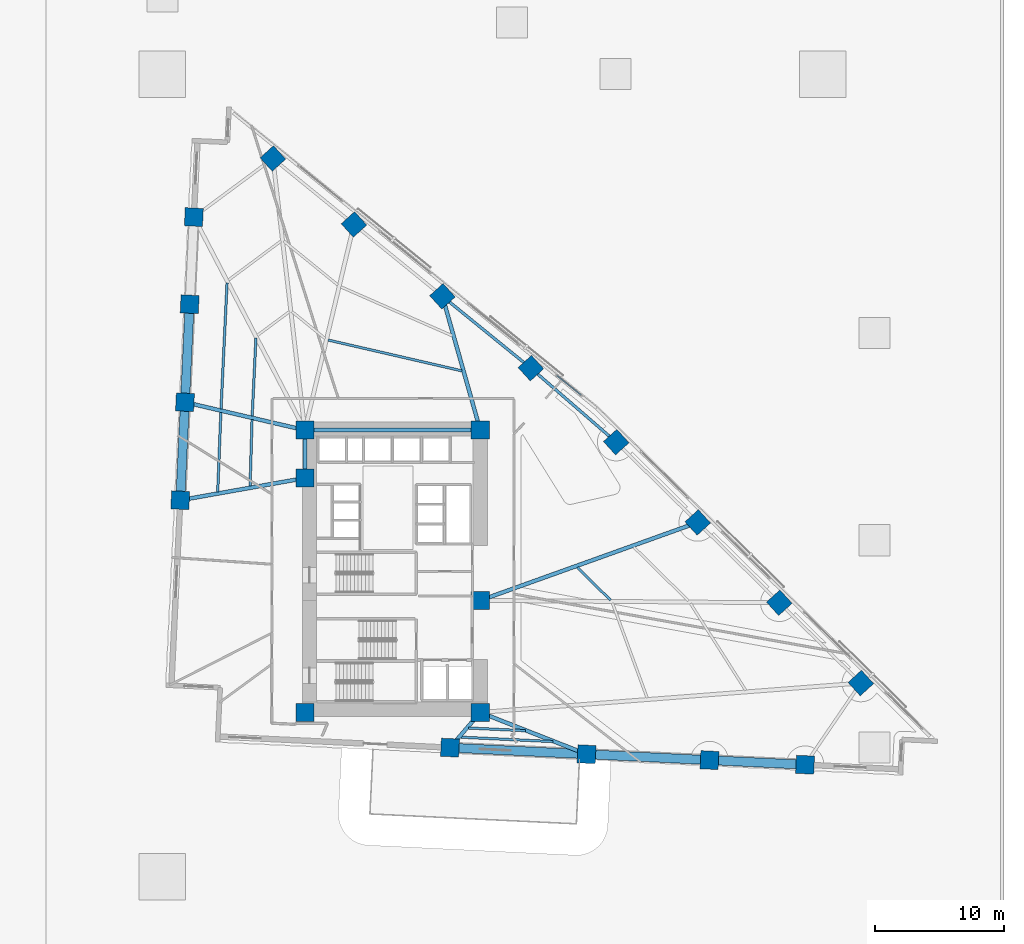
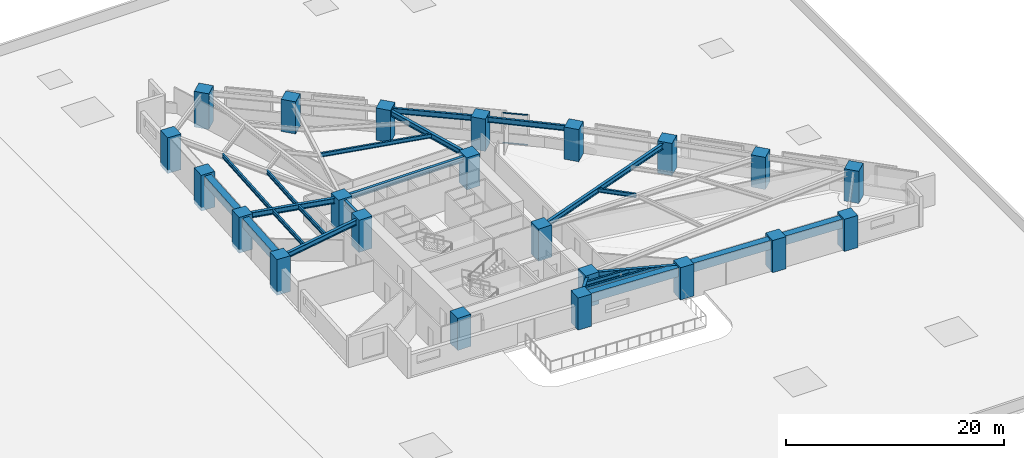
# One storey, part 1 of 19: 23 beams, 22 columns, 2 members, 1 element without a shape of its own.
"""IFC4 building model written with IfcOpenShell, lengths in metres."""

from ifc_helpers import new_model, si_unit, direction, frame, origin, origin_2d, place, context, subcontext, project, spatial, rectangle, hollow_rectangle, i_section, extrude, material, material_profile, profile_set, type_object, element, aggregate, save


model = new_model("IFC4")

# Units and contexts
model_context = context("Model", 3, precision=1e-05, world=origin(), true_north=direction((0.0, 1.0)))
body_context = subcontext(model_context, "Body", "Model", "MODEL_VIEW")
ifc_project = project(units=[si_unit("LENGTHUNIT", "METRE"), si_unit("AREAUNIT", "SQUARE_METRE"), si_unit("VOLUMEUNIT", "CUBIC_METRE"), si_unit("PLANEANGLEUNIT", "RADIAN"), si_unit("MASSUNIT", "GRAM", prefix="KILO")], contexts=[model_context])

# Site, building, storey
site_placement = place(None, origin())
site = spatial("IfcSite", under=ifc_project, at=site_placement, CompositionType="ELEMENT")
building_placement = place(site_placement, origin())
building = spatial("IfcBuilding", under=site, at=building_placement, Name="Narakoshi Arena Tower", CompositionType="ELEMENT")
storey_placement = place(building_placement, frame((0.0, 0.0, 26.699951171875)))
storey = spatial("IfcBuildingStorey", under=building, at=storey_placement, Name="L06", CompositionType="ELEMENT", Elevation=26.699951171875)

# Columns
ifc_material_1 = material(Name="Concrete C60/75", Category="concrete")
ifc_material_profile_1 = material_profile(ifc_material_1, rectangle(XDim=1.39990234375, YDim=1.39990234375, at=origin_2d()), Name="RC1400x1400")
ifc_profile_set_1 = profile_set([ifc_material_profile_1], Name="Concrete C60/75")
column_type = type_object("IfcColumnType", Name="COL-RC1400", PredefinedType="COLUMN", material=ifc_profile_set_1)
for number, where, z_axis, x_axis, name in (
    (1, (72.0, 34.699951171875, 0.0), (0.0, 0.0, 1.0), (1.0, 0.0, 0.0), "L06 Core Structural Column CC1"),
    (2, (85.550048828125, 34.699951171875, 0.0), (0.0, 0.0, 1.0), (1.0, 0.0, 0.0), "L06 Core Structural Column CC2"),
    (3, (85.550048828125, 43.35009765625, 0.0), (0.0, 0.0, 1.0), (1.0, 0.0, 0.0), "L06 Core Structural Column CC3"),
    (4, (72.0, 52.800048828125, 0.0), (0.0, 0.0, 1.0), (1.0, 0.0, 0.0), "L06 Core Structural Column CC4"),
    (5, (72.0, 56.5, 0.0), (0.0, 0.0, 1.0), (1.0, 0.0, 0.0), "L06 Core Structural Column CC5"),
    (6, (85.550048828125, 56.5, 0.0), (0.0, 0.0, 1.0), (1.0, 0.0, 0.0), "L06 Core Structural Column CC6"),
    (7, (83.2119140625, 31.979248046875, 0.0), (0.0, 0.0, 1.0), (-0.998848386485, 0.047978128521, 0.0), "L06 Tower Perimeter Column TC01"),
    (8, (93.760009765625, 31.472412109375, 0.0), (0.0, 0.0, 1.0), (-0.998848386485, 0.047978128521, 0.0), "L06 Tower Perimeter Column TC02"),
    (9, (103.2529296875, 31.0166015625, 0.0), (0.0, 0.0, 1.0), (-0.998848386485, 0.047978128521, 0.0), "L06 Tower Perimeter Column TC03"),
    (10, (110.636474609375, 30.661865234375, 0.0), (0.0, 0.0, 1.0), (-0.998848386485, 0.047978128521, 0.0), "L06 Tower Perimeter Column TC04"),
    (11, (114.942138671875, 36.969970703125, 0.0), (0.0, 0.0, 1.0), (0.740218127487, 0.672366807435, 0.0), "L06 Tower Perimeter Column TC05"),
    (12, (108.643798828125, 43.171875, 0.0), (0.0, 0.0, 1.0), (0.740218127487, 0.672366807435, 0.0), "L06 Tower Perimeter Column TC06"),
    (13, (102.345458984375, 49.373779296875, 0.0), (0.0, 0.0, 1.0), (0.740218127487, 0.672366807435, 0.0), "L06 Tower Perimeter Column TC07"),
    (14, (96.047119140625, 55.57568359375, 0.0), (0.0, 0.0, 1.0), (0.740218127487, 0.672366807435, 0.0), "L06 Tower Perimeter Column TC08"),
    (15, (89.459716796875, 61.28515625, 0.0), (0.0, 0.0, 1.0), (0.740218127487, 0.672366807435, 0.0), "L06 Tower Perimeter Column TC09"),
    (16, (82.626953125, 66.838623046875, 0.0), (0.0, 0.0, 1.0), (0.740218127487, 0.672366807435, 0.0), "L06 Tower Perimeter Column TC10"),
    (17, (75.794189453125, 72.392333984375, 0.0), (0.0, 0.0, 1.0), (0.740218127487, 0.672366807435, 0.0), "L06 Tower Perimeter Column TC11"),
):
    element("IfcColumn", number, at=place(storey_placement, frame(where, z_axis=z_axis, x_axis=x_axis)), inside=storey, type_object=column_type, Name=name, PredefinedType="COLUMN", context=body_context, shape_type="SweptSolid", body=[
        extrude(rectangle(XDim=1.39990234375, YDim=1.39990234375, at=origin_2d()), origin(), (0.0, 0.0, 1.0), 3.60009765625),
    ])
for number, where, z_axis, x_axis, name in (
    (18, (69.531005859375, 77.483154296875, -0.39990234375), (0.0, 0.0, 1.0), (0.740218127487, 0.672366807435, 0.0), "L06 Tower Perimeter Column TC12"),
    (19, (63.42822265625, 72.95654296875, -0.39990234375), (0.0, 0.0, 1.0), (0.047978128521, 0.998848386485, 0.0), "L06 Tower Perimeter Column TC13"),
    (20, (63.10498046875, 66.228271484375, -0.39990234375), (0.0, 0.0, 1.0), (0.047978128521, 0.998848386485, 0.0), "L06 Tower Perimeter Column TC14"),
    (21, (62.74169921875, 58.658935546875, -0.39990234375), (0.0, 0.0, 1.0), (0.047978128521, 0.998848386485, 0.0), "L06 Tower Perimeter Column TC15"),
    (22, (62.3779296875, 51.08984375, -0.39990234375), (0.0, 0.0, 1.0), (0.047978128521, 0.998848386485, 0.0), "L06 Tower Perimeter Column TC16"),
):
    element("IfcColumn", number, at=place(storey_placement, frame(where, z_axis=z_axis, x_axis=x_axis)), inside=storey, type_object=column_type, Name=name, PredefinedType="COLUMN", context=body_context, shape_type="SweptSolid", body=[
        extrude(rectangle(XDim=1.39990234375, YDim=1.39990234375, at=origin_2d()), origin(), (0.0, 0.0, 1.0), 4.0),
    ])

# Beams
ifc_material_profile_2 = material_profile(ifc_material_1, rectangle(XDim=0.699951171875, YDim=1.0, at=origin_2d()), Name="RCB700x1000")
ifc_profile_set_2 = profile_set([ifc_material_profile_2], Name="Concrete C60/75")
beam_type_1 = type_object("IfcBeamType", Name="BM-CPL-1000", PredefinedType="BEAM", material=ifc_profile_set_2)
beam_1_placement = place(storey_placement, frame((83.2119140625, 31.979248046875, 2.900146484375), z_axis=(0.998847594152, -0.047994621119, 0.0), x_axis=(0.047994621119, 0.998847594152, 0.0)))
element("IfcBeam", 23, at=beam_1_placement, inside=storey, type_object=beam_type_1, Name="L06 Perimeter Edge Girder 01", PredefinedType="BEAM", context=body_context, shape_type="SweptSolid", body=[
    extrude(rectangle(XDim=0.699951171875, YDim=1.0, at=origin_2d()), origin(), (0.0, 0.0, 1.0), 10.560302734375),
])
beam_2_placement = place(storey_placement, frame((93.760009765625, 31.472412109375, 2.900146484375), z_axis=(0.998849228903, -0.047960587155, 0.0), x_axis=(0.047960587155, 0.998849228903, 0.0)))
element("IfcBeam", 24, at=beam_2_placement, inside=storey, type_object=beam_type_1, Name="L06 Perimeter Edge Girder 02", PredefinedType="BEAM", context=body_context, shape_type="SweptSolid", body=[
    extrude(rectangle(XDim=0.699951171875, YDim=1.0, at=origin_2d()), origin(), (0.0, 0.0, 1.0), 9.50390625),
])
beam_3_placement = place(storey_placement, frame((103.2529296875, 31.0166015625, 2.900146484375), z_axis=(0.998847872759, -0.047988822508, 0.0), x_axis=(0.047988822508, 0.998847872759, 0.0)))
element("IfcBeam", 25, at=beam_3_placement, inside=storey, type_object=beam_type_1, Name="L06 Perimeter Edge Girder 03", PredefinedType="BEAM", context=body_context, shape_type="SweptSolid", body=[
    extrude(rectangle(XDim=0.699951171875, YDim=1.0, at=origin_2d()), origin(), (0.0, 0.0, 1.0), 7.39208984375),
])
beam_4_placement = place(storey_placement, frame((63.10498046875, 66.228271484375, 2.900146484375), z_axis=(-0.047938627957, -0.99885028305, 0.0), x_axis=(0.99885028305, -0.047938627957, 0.0)))
element("IfcBeam", 26, at=beam_4_placement, inside=storey, type_object=beam_type_1, Name="L06 Perimeter Edge Girder 14", PredefinedType="BEAM", context=body_context, shape_type="SweptSolid", body=[
    extrude(rectangle(XDim=0.699951171875, YDim=1.0, at=origin_2d()), origin(), (0.0, 0.0, 1.0), 7.578125),
])
beam_5_placement = place(storey_placement, frame((62.74169921875, 58.658935546875, 2.900146484375), z_axis=(-0.048004457986, -0.998847121442, 0.0), x_axis=(0.998847121442, -0.048004457986, 0.0)))
element("IfcBeam", 27, at=beam_5_placement, inside=storey, type_object=beam_type_1, Name="L06 Perimeter Edge Girder 15", PredefinedType="BEAM", context=body_context, shape_type="SweptSolid", body=[
    extrude(rectangle(XDim=0.699951171875, YDim=1.0, at=origin_2d()), origin(), (0.0, 0.0, 1.0), 7.577880859375),
])
ifc_material_2 = material(Name="Structural steel S355J2", Category="steel")
ifc_material_profile_3 = material_profile(ifc_material_2, i_section(OverallWidth=0.219970703125, OverallDepth=0.60009765625, WebThickness=0.011962890625, FlangeThickness=0.01904296875, FilletRadius=0.02392578125, at=origin_2d()), Name="IPE600")
ifc_profile_set_3 = profile_set([ifc_material_profile_3], Name="Structural steel S355J2")
beam_type_2 = type_object("IfcBeamType", Name="BM-EDGE-600", PredefinedType="BEAM", material=ifc_profile_set_3)
beam_6_placement = place(storey_placement, frame((96.047119140625, 55.57568359375, 3.10009765625), z_axis=(-0.755666904752, 0.654956127586, 0.0), x_axis=(-0.654956127586, -0.755666904752, 0.0)))
element("IfcBeam", 28, at=beam_6_placement, inside=storey, type_object=beam_type_2, Name="L06 Perimeter Edge Girder 08", PredefinedType="BEAM", context=body_context, shape_type="SweptSolid", body=[
    extrude(i_section(OverallWidth=0.219970703125, OverallDepth=0.60009765625, WebThickness=0.011962890625, FlangeThickness=0.01904296875, FilletRadius=0.02392578125, at=origin_2d()), origin(), (0.0, 0.0, 1.0), 8.71728515625),
])
beam_7_placement = place(storey_placement, frame((89.459716796875, 61.28515625, 3.10009765625), z_axis=(-0.776011365227, 0.630718923958, 0.0), x_axis=(-0.630718923958, -0.776011365227, 0.0)))
element("IfcBeam", 29, at=beam_7_placement, inside=storey, type_object=beam_type_2, Name="L06 Perimeter Edge Girder 09", PredefinedType="BEAM", context=body_context, shape_type="SweptSolid", body=[
    extrude(i_section(OverallWidth=0.219970703125, OverallDepth=0.60009765625, WebThickness=0.011962890625, FlangeThickness=0.01904296875, FilletRadius=0.02392578125, at=origin_2d()), origin(), (0.0, 0.0, 1.0), 8.804931640625),
])
ifc_material_profile_4 = material_profile(ifc_material_2, i_section(OverallWidth=0.300048828125, OverallDepth=0.60009765625, WebThickness=0.015380859375, FlangeThickness=0.030029296875, FilletRadius=0.027099609375, at=origin_2d()), Name="HE600B")
ifc_profile_set_4 = profile_set([ifc_material_profile_4], Name="Structural steel S355J2")
beam_type_3 = type_object("IfcBeamType", Name="BM-PRI-600", PredefinedType="BEAM", material=ifc_profile_set_4)
beam_8_placement = place(storey_placement, frame((85.550048828125, 34.699951171875, 3.10009765625), z_axis=(-0.651771636497, -0.75841527797, 0.0), x_axis=(0.75841527797, -0.651771636497, 0.0)))
element("IfcBeam", 30, at=beam_8_placement, inside=storey, type_object=beam_type_3, Name="L06 Radial Primary Floor Girder 01", PredefinedType="BEAM", context=body_context, shape_type="SweptSolid", body=[
    extrude(i_section(OverallWidth=0.300048828125, OverallDepth=0.60009765625, WebThickness=0.015380859375, FlangeThickness=0.030029296875, FilletRadius=0.027099609375, at=origin_2d()), origin(), (0.0, 0.0, 1.0), 3.58740234375),
])
beam_9_placement = place(storey_placement, frame((85.550048828125, 34.699951171875, 3.10009765625), z_axis=(0.930666699288, -0.365868138592, 0.0), x_axis=(0.365868138592, 0.930666699288, 0.0)))
element("IfcBeam", 31, at=beam_9_placement, inside=storey, type_object=beam_type_3, Name="L06 Radial Primary Floor Girder 02", PredefinedType="BEAM", context=body_context, shape_type="SweptSolid", body=[
    extrude(i_section(OverallWidth=0.300048828125, OverallDepth=0.60009765625, WebThickness=0.015380859375, FlangeThickness=0.030029296875, FilletRadius=0.027099609375, at=origin_2d()), origin(), (0.0, 0.0, 1.0), 8.821533203125),
])
beam_10_placement = place(storey_placement, frame((85.550048828125, 43.35009765625, 3.10009765625), z_axis=(0.941291582753, 0.337594662634, 0.0), x_axis=(-0.337594662634, 0.941291582753, 0.0)))
element("IfcBeam", 32, at=beam_10_placement, inside=storey, type_object=beam_type_3, Name="L06 Radial Primary Floor Girder 07", PredefinedType="BEAM", context=body_context, shape_type="SweptSolid", body=[
    extrude(i_section(OverallWidth=0.300048828125, OverallDepth=0.60009765625, WebThickness=0.015380859375, FlangeThickness=0.030029296875, FilletRadius=0.027099609375, at=origin_2d()), origin(), (0.0, 0.0, 1.0), 17.843017578125),
])
beam_11_placement = place(storey_placement, frame((85.550048828125, 56.5, 3.10009765625), z_axis=(-0.272069994974, 0.962277464058, 0.0), x_axis=(-0.962277464058, -0.272069994974, 0.0)))
element("IfcBeam", 33, at=beam_11_placement, inside=storey, type_object=beam_type_3, Name="L06 Radial Primary Floor Girder 10", PredefinedType="BEAM", context=body_context, shape_type="SweptSolid", body=[
    extrude(i_section(OverallWidth=0.300048828125, OverallDepth=0.60009765625, WebThickness=0.015380859375, FlangeThickness=0.030029296875, FilletRadius=0.027099609375, at=origin_2d()), origin(), (0.0, 0.0, 1.0), 10.743896484375),
])
beam_12_placement = place(storey_placement, frame((72.0, 56.5, 3.10009765625), z_axis=(-0.973872266719, 0.227096473145, 0.0), x_axis=(-0.227096473145, -0.973872266719, 0.0)))
element("IfcBeam", 34, at=beam_12_placement, inside=storey, type_object=beam_type_3, Name="L06 Radial Primary Floor Girder 15", PredefinedType="BEAM", context=body_context, shape_type="SweptSolid", body=[
    extrude(i_section(OverallWidth=0.300048828125, OverallDepth=0.60009765625, WebThickness=0.015380859375, FlangeThickness=0.030029296875, FilletRadius=0.027099609375, at=origin_2d()), origin(), (0.0, 0.0, 1.0), 9.506591796875),
])
beam_13_placement = place(storey_placement, frame((72.0, 52.800048828125, 3.10009765625), z_axis=(-0.984569299514, -0.174995126944, 0.0), x_axis=(0.174995126944, -0.984569299514, 0.0)))
element("IfcBeam", 35, at=beam_13_placement, inside=storey, type_object=beam_type_3, Name="L06 Radial Primary Floor Girder 16", PredefinedType="BEAM", context=body_context, shape_type="SweptSolid", body=[
    extrude(i_section(OverallWidth=0.300048828125, OverallDepth=0.60009765625, WebThickness=0.015380859375, FlangeThickness=0.030029296875, FilletRadius=0.027099609375, at=origin_2d()), origin(), (0.0, 0.0, 1.0), 9.77294921875),
])
beam_14_placement = place(storey_placement, frame((72.0, 52.800048828125, 3.10009765625), z_axis=(0.0, 1.0, 0.0), x_axis=(-1.0, 0.0, 0.0)))
element("IfcBeam", 36, at=beam_14_placement, inside=storey, type_object=beam_type_3, Name="L06 Core Perimeter Frame Beam CC4-CC5", PredefinedType="BEAM", context=body_context, shape_type="SweptSolid", body=[
    extrude(i_section(OverallWidth=0.300048828125, OverallDepth=0.60009765625, WebThickness=0.015380859375, FlangeThickness=0.030029296875, FilletRadius=0.027099609375, at=origin_2d()), origin(), (0.0, 0.0, 1.0), 3.699951171875),
])
beam_15_placement = place(storey_placement, frame((72.0, 56.5, 3.10009765625), z_axis=(1.0, 0.0, 0.0), x_axis=(0.0, 1.0, 0.0)))
element("IfcBeam", 37, at=beam_15_placement, inside=storey, type_object=beam_type_3, Name="L06 Core Perimeter Frame Beam CC5-CC6", PredefinedType="BEAM", context=body_context, shape_type="SweptSolid", body=[
    extrude(i_section(OverallWidth=0.300048828125, OverallDepth=0.60009765625, WebThickness=0.015380859375, FlangeThickness=0.030029296875, FilletRadius=0.027099609375, at=origin_2d()), origin(), (0.0, 0.0, 1.0), 13.550048828125),
])
ifc_material_profile_5 = material_profile(ifc_material_2, i_section(OverallWidth=0.18994140625, OverallDepth=0.449951171875, WebThickness=0.009521484375, FlangeThickness=0.0146484375, FilletRadius=0.02099609375, at=origin_2d()), Name="IPE450")
ifc_profile_set_5 = profile_set([ifc_material_profile_5], Name="Structural steel S355J2")
beam_type_4 = type_object("IfcBeamType", Name="BM-SEC-450", PredefinedType="JOIST", material=ifc_profile_set_5)
beam_16_placement = place(storey_placement, frame((84.656005859375, 33.496337890625, 3.175048828125), z_axis=(0.998848618666, -0.047973294541, 0.0), x_axis=(0.047973294541, 0.998848618666, 0.0)))
element("IfcBeam", 38, at=beam_16_placement, inside=storey, type_object=beam_type_4, Name="L06 Composite Secondary Floor Joist 01", PredefinedType="JOIST", context=body_context, shape_type="SweptSolid", body=[
    extrude(i_section(OverallWidth=0.18994140625, OverallDepth=0.449951171875, WebThickness=0.009521484375, FlangeThickness=0.0146484375, FilletRadius=0.02099609375, at=origin_2d()), origin(), (0.0, 0.0, 1.0), 4.376708984375),
])
beam_17_placement = place(storey_placement, frame((84.048095703125, 32.7890625, 3.175048828125), z_axis=(0.998847805769, -0.047990216825, 0.0), x_axis=(0.047990216825, 0.998847805769, 0.0)))
element("IfcBeam", 39, at=beam_17_placement, inside=storey, type_object=beam_type_4, Name="L06 Composite Secondary Floor Joist 02", PredefinedType="JOIST", context=body_context, shape_type="SweptSolid", body=[
    extrude(i_section(OverallWidth=0.18994140625, OverallDepth=0.449951171875, WebThickness=0.009521484375, FlangeThickness=0.0146484375, FilletRadius=0.02099609375, at=origin_2d()), origin(), (0.0, 0.0, 1.0), 7.122314453125),
])
beam_18_placement = place(storey_placement, frame((95.614990234375, 43.366455078125, 3.175048828125), z_axis=(-0.71254969756, 0.701621641989, 0.0), x_axis=(-0.701621641989, -0.71254969756, 0.0)))
element("IfcBeam", 40, at=beam_18_placement, inside=storey, type_object=beam_type_4, Name="L06 Composite Secondary Floor Joist 05", PredefinedType="JOIST", context=body_context, shape_type="SweptSolid", body=[
    extrude(i_section(OverallWidth=0.18994140625, OverallDepth=0.449951171875, WebThickness=0.009521484375, FlangeThickness=0.0146484375, FilletRadius=0.02099609375, at=origin_2d()), origin(), (0.0, 0.0, 1.0), 3.619140625),
])
beam_19_placement = place(storey_placement, frame((84.13232421875, 61.079345703125, 3.175048828125), z_axis=(-0.974413699893, 0.224761966223, 0.0), x_axis=(-0.224761966223, -0.974413699893, 0.0)))
element("IfcBeam", 41, at=beam_19_placement, inside=storey, type_object=beam_type_4, Name="L06 Composite Secondary Floor Joist 07", PredefinedType="JOIST", context=body_context, shape_type="SweptSolid", body=[
    extrude(i_section(OverallWidth=0.18994140625, OverallDepth=0.449951171875, WebThickness=0.009521484375, FlangeThickness=0.0146484375, FilletRadius=0.02099609375, at=origin_2d()), origin(), (0.0, 0.0, 1.0), 10.6025390625),
])
beam_20_placement = place(storey_placement, frame((68.221923828125, 63.606201171875, 3.175048828125), z_axis=(-0.047949971232, -0.998849738579, 0.0), x_axis=(0.998849738579, -0.047949971232, 0.0)))
element("IfcBeam", 42, at=beam_20_placement, inside=storey, type_object=beam_type_4, Name="L06 Composite Secondary Floor Joist 13", PredefinedType="JOIST", context=body_context, shape_type="SweptSolid", body=[
    extrude(i_section(OverallWidth=0.18994140625, OverallDepth=0.449951171875, WebThickness=0.009521484375, FlangeThickness=0.0146484375, FilletRadius=0.02099609375, at=origin_2d()), origin(), (0.0, 0.0, 1.0), 6.0283203125),
])
beam_21_placement = place(storey_placement, frame((65.993408203125, 67.884765625, 3.175048828125), z_axis=(-0.047976776959, -0.998848451404, 0.0), x_axis=(0.998848451404, -0.047976776959, 0.0)))
element("IfcBeam", 43, at=beam_21_placement, inside=storey, type_object=beam_type_4, Name="L06 Composite Secondary Floor Joist 14", PredefinedType="JOIST", context=body_context, shape_type="SweptSolid", body=[
    extrude(i_section(OverallWidth=0.18994140625, OverallDepth=0.449951171875, WebThickness=0.009521484375, FlangeThickness=0.0146484375, FilletRadius=0.02099609375, at=origin_2d()), origin(), (0.0, 0.0, 1.0), 9.75),
])
beam_22_placement = place(storey_placement, frame((67.92236328125, 57.31494140625, 3.175048828125), z_axis=(-0.029622614356, -0.999561154066, 0.0), x_axis=(0.999561154066, -0.029622614356, 0.0)))
element("IfcBeam", 44, at=beam_22_placement, inside=storey, type_object=beam_type_4, Name="L06 Composite Secondary Floor Joist 15", PredefinedType="JOIST", context=body_context, shape_type="SweptSolid", body=[
    extrude(i_section(OverallWidth=0.18994140625, OverallDepth=0.449951171875, WebThickness=0.009521484375, FlangeThickness=0.0146484375, FilletRadius=0.02099609375, at=origin_2d()), origin(), (0.0, 0.0, 1.0), 5.134521484375),
])
beam_23_placement = place(storey_placement, frame((65.513916015625, 57.87646484375, 3.175048828125), z_axis=(-0.039699826578, -0.999211651138, 0.0), x_axis=(0.999211651138, -0.039699826578, 0.0)))
element("IfcBeam", 45, at=beam_23_placement, inside=storey, type_object=beam_type_4, Name="L06 Composite Secondary Floor Joist 16", PredefinedType="JOIST", context=body_context, shape_type="SweptSolid", body=[
    extrude(i_section(OverallWidth=0.18994140625, OverallDepth=0.449951171875, WebThickness=0.009521484375, FlangeThickness=0.0146484375, FilletRadius=0.02099609375, at=origin_2d()), origin(), (0.0, 0.0, 1.0), 6.1435546875),
])

# Curtain wall, members
ifc_material_3 = material(Name="Anodised bronze aluminium 6063-T6", Category="aluminium")
curtain_wall_type = type_object("IfcCurtainWallType", Name="CW-HYP-LOW", PredefinedType="NOTDEFINED", material=ifc_material_3)
curtain_wall_placement = place(storey_placement, origin())
curtain_wall = element("IfcCurtainWall", 46, at=curtain_wall_placement, inside=storey, type_object=curtain_wall_type, Name="L06 Folded Hypotenuse Curtain Wall 2-1", PredefinedType="NOTDEFINED")
ifc_material_profile_6 = material_profile(ifc_material_3, hollow_rectangle(XDim=0.06494140625, YDim=0.1298828125, WallThickness=0.00390625, OuterFilletRadius=0.0048828125, at=origin_2d()), Name="TRN130x65x4")
ifc_profile_set_6 = profile_set([ifc_material_profile_6], Name="Anodised bronze aluminium 6063-T6")
member_type = type_object("IfcMemberType", Name="MEM-TRN-130", PredefinedType="USERDEFINED", material=ifc_profile_set_6)
member_1_placement = place(storey_placement, frame((93.316162109375, 59.22021484375, 0.032470703125), z_axis=(-0.776019017778, 0.630709508448, 0.0), x_axis=(-0.630709508448, -0.776019017778, 0.0)))
member_1 = element("IfcMember", 47, at=member_1_placement, type_object=member_type, Name="CW-01 transom 1.1", ObjectType="TRANSOM", PredefinedType="USERDEFINED", context=body_context, shape_type="SweptSolid", body=[
    extrude(hollow_rectangle(XDim=0.06494140625, YDim=0.1298828125, WallThickness=0.00390625, OuterFilletRadius=0.0048828125, at=origin_2d()), origin(), (0.0, 0.0, 1.0), 2.35888671875),
])
member_2_placement = place(storey_placement, frame((93.316162109375, 59.22021484375, 3.367431640625), z_axis=(-0.776019017778, 0.630709508448, 0.0), x_axis=(-0.630709508448, -0.776019017778, 0.0)))
member_2 = element("IfcMember", 48, at=member_2_placement, type_object=member_type, Name="CW-01 transom 1.2", ObjectType="TRANSOM", PredefinedType="USERDEFINED", context=body_context, shape_type="SweptSolid", body=[
    extrude(hollow_rectangle(XDim=0.06494140625, YDim=0.1298828125, WallThickness=0.00390625, OuterFilletRadius=0.0048828125, at=origin_2d()), origin(), (0.0, 0.0, 1.0), 2.35888671875),
])
aggregate(curtain_wall, [member_1, member_2])

save(model, "model.ifc")
